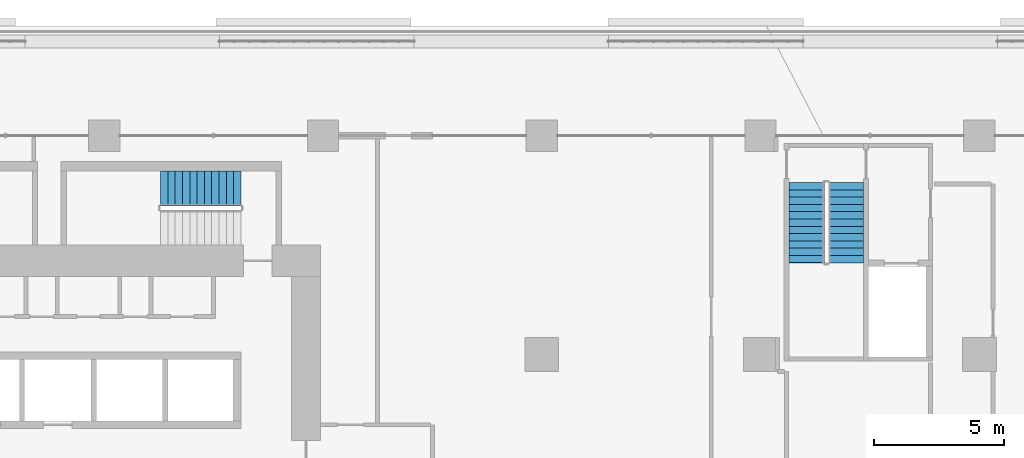
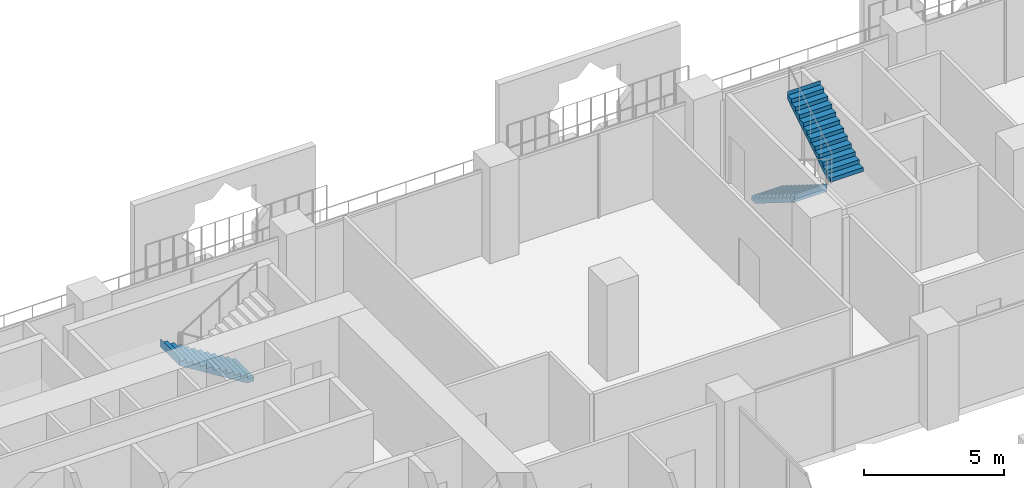
# One storey, part 18 of 28: 3 stair flights, 2 elements without a shape of their own.
"""IFC4 building model written with IfcOpenShell, lengths in metres."""

from ifc_helpers import new_model, si_unit, direction, frame, origin, place, context, subcontext, project, spatial, polyline, outline, extrude, material, type_object, element, aggregate, save


model = new_model("IFC4")

# Units and contexts
model_context = context("Model", 3, precision=1e-05, world=origin(), true_north=direction((0.0, 1.0)))
body_context = subcontext(model_context, "Body", "Model", "MODEL_VIEW")
ifc_project = project(units=[si_unit("LENGTHUNIT", "METRE"), si_unit("AREAUNIT", "SQUARE_METRE"), si_unit("VOLUMEUNIT", "CUBIC_METRE"), si_unit("PLANEANGLEUNIT", "RADIAN"), si_unit("MASSUNIT", "GRAM", prefix="KILO")], contexts=[model_context])

# Site, building, storey
site_placement = place(None, origin())
site = spatial("IfcSite", under=ifc_project, at=site_placement, CompositionType="ELEMENT")
building_placement = place(site_placement, origin())
building = spatial("IfcBuilding", under=site, at=building_placement, Name="Kawkab Arch Medical Tower", CompositionType="ELEMENT")
storey_placement = place(building_placement, frame((0.0, 0.0, 47.60009765625)))
storey = spatial("IfcBuildingStorey", under=building, at=storey_placement, Name="L10", CompositionType="ELEMENT", Elevation=47.60009765625)

# Stair, stair flight
ifc_material_1 = material(Name="Concrete C40/50", Category="concrete")
stair_type = type_object("IfcStairType", Name="Exit stair 1350", PredefinedType="HALF_TURN_STAIR", material=ifc_material_1)
placement = place(storey_placement, origin())
stair_1 = element("IfcStair", 1, at=placement, inside=storey, type_object=stair_type, Name="L10 Exit stair ST4", PredefinedType="HALF_TURN_STAIR")
ifc_material_2 = material(Name="Concrete C40/50", Category="concrete")
stair_flight_type = type_object("IfcStairFlightType", Name="Exit stair flight 1350", PredefinedType="STRAIGHT", material=ifc_material_2)
stair_flight_1_placement = place(storey_placement, frame((22.050048828125, -2.02490234375, 0.0), z_axis=(0.0, 0.0, 1.0), x_axis=(-1.0, 0.0, 0.0)))
stair_flight_1 = element("IfcStairFlight", 2, at=stair_flight_1_placement, type_object=stair_flight_type, Name="ST4 flight 1", NumberOfRisers=12, NumberOfTreads=11, PredefinedType="STRAIGHT", RiserHeight=0.175, TreadLength=0.28, context=body_context, shape_type="SweptSolid", body=[
    extrude(outline(polyline([(-0.0029296875, 0.0), (-0.0029296875, 0.175048828125), (0.0, 0.175048828125), (0.280029296875, 0.175048828125), (0.280029296875, 0.35009765625), (0.56005859375, 0.35009765625), (0.56005859375, 0.52490234375), (0.840087890625, 0.52490234375), (0.840087890625, 0.699951171875), (1.1201171875, 0.699951171875), (1.1201171875, 0.875), (1.39990234375, 0.875), (1.39990234375, 1.050048828125), (1.679931640625, 1.050048828125), (1.679931640625, 1.22509765625), (1.9599609375, 1.22509765625), (1.9599609375, 1.39990234375), (2.239990234375, 1.39990234375), (2.239990234375, 1.574951171875), (2.52001953125, 1.574951171875), (2.52001953125, 1.75), (2.800048828125, 1.75), (2.800048828125, 1.925048828125), (3.080078125, 1.925048828125), (3.080078125, 2.10009765625), (3.0830078125, 2.10009765625), (3.0830078125, 1.748291015625), (3.080078125, 1.748291015625), (0.28271484375, 0.0), (-0.0029296875, 0.0)])), frame((0.0, 0.675048828125, 0.0), z_axis=(0.0, -1.0, 0.0), x_axis=(1.0, 0.0, 0.0)), (0.0, 0.0, 1.0), 1.35009765625),
])
aggregate(stair_1, [stair_flight_1])

# Stair, stair flights
stair_2 = element("IfcStair", 3, at=placement, inside=storey, type_object=stair_type, Name="L10 Exit stair ST5", PredefinedType="HALF_TURN_STAIR")
stair_flight_2_placement = place(storey_placement, frame((43.77490234375, -1.800048828125, 0.0), z_axis=(0.0, 0.0, 1.0), x_axis=(0.0, -1.0, 0.0)))
stair_flight_2 = element("IfcStairFlight", 4, at=stair_flight_2_placement, type_object=stair_flight_type, Name="ST5 flight 1", NumberOfRisers=12, NumberOfTreads=11, PredefinedType="STRAIGHT", RiserHeight=0.175, TreadLength=0.28, context=body_context, shape_type="SweptSolid", body=[
    extrude(outline(polyline([(-0.0029296875, 0.0), (-0.0029296875, 0.175048828125), (0.0, 0.175048828125), (0.280029296875, 0.175048828125), (0.280029296875, 0.35009765625), (0.56005859375, 0.35009765625), (0.56005859375, 0.52490234375), (0.840087890625, 0.52490234375), (0.840087890625, 0.699951171875), (1.1201171875, 0.699951171875), (1.1201171875, 0.875), (1.39990234375, 0.875), (1.39990234375, 1.050048828125), (1.679931640625, 1.050048828125), (1.679931640625, 1.22509765625), (1.9599609375, 1.22509765625), (1.9599609375, 1.39990234375), (2.239990234375, 1.39990234375), (2.239990234375, 1.574951171875), (2.52001953125, 1.574951171875), (2.52001953125, 1.75), (2.800048828125, 1.75), (2.800048828125, 1.925048828125), (3.080078125, 1.925048828125), (3.080078125, 2.10009765625), (3.0830078125, 2.10009765625), (3.0830078125, 1.748291015625), (3.080078125, 1.748291015625), (0.28271484375, 0.0), (-0.0029296875, 0.0)])), frame((0.0, 0.675048828125, 0.0), z_axis=(0.0, -1.0, 0.0), x_axis=(1.0, 0.0, 0.0)), (0.0, 0.0, 1.0), 1.35009765625),
])
stair_flight_3_placement = place(storey_placement, frame((45.27490234375, -4.8798828125, 2.099853515625), z_axis=(0.0, 0.0, 1.0), x_axis=(0.0, 1.0, 0.0)))
stair_flight_3 = element("IfcStairFlight", 5, at=stair_flight_3_placement, type_object=stair_flight_type, Name="ST5 flight 2", NumberOfRisers=12, NumberOfTreads=11, PredefinedType="STRAIGHT", RiserHeight=0.175, TreadLength=0.28, context=body_context, shape_type="SweptSolid", body=[
    extrude(outline(polyline([(-0.0029296875, 0.0), (-0.0029296875, 0.175048828125), (0.0, 0.175048828125), (0.280029296875, 0.175048828125), (0.280029296875, 0.35009765625), (0.56005859375, 0.35009765625), (0.56005859375, 0.52490234375), (0.840087890625, 0.52490234375), (0.840087890625, 0.699951171875), (1.1201171875, 0.699951171875), (1.1201171875, 0.875), (1.39990234375, 0.875), (1.39990234375, 1.050048828125), (1.679931640625, 1.050048828125), (1.679931640625, 1.22509765625), (1.9599609375, 1.22509765625), (1.9599609375, 1.39990234375), (2.239990234375, 1.39990234375), (2.239990234375, 1.574951171875), (2.52001953125, 1.574951171875), (2.52001953125, 1.75), (2.800048828125, 1.75), (2.800048828125, 1.925048828125), (3.080078125, 1.925048828125), (3.080078125, 2.10009765625), (3.0830078125, 2.10009765625), (3.0830078125, 1.748291015625), (3.080078125, 1.748291015625), (0.28271484375, 0.0), (-0.0029296875, 0.0)])), frame((0.0, 0.675048828125, 0.0), z_axis=(0.0, -1.0, 0.0), x_axis=(1.0, 0.0, 0.0)), (0.0, 0.0, 1.0), 1.35009765625),
])
aggregate(stair_2, [stair_flight_2, stair_flight_3])

save(model, "model.ifc")
